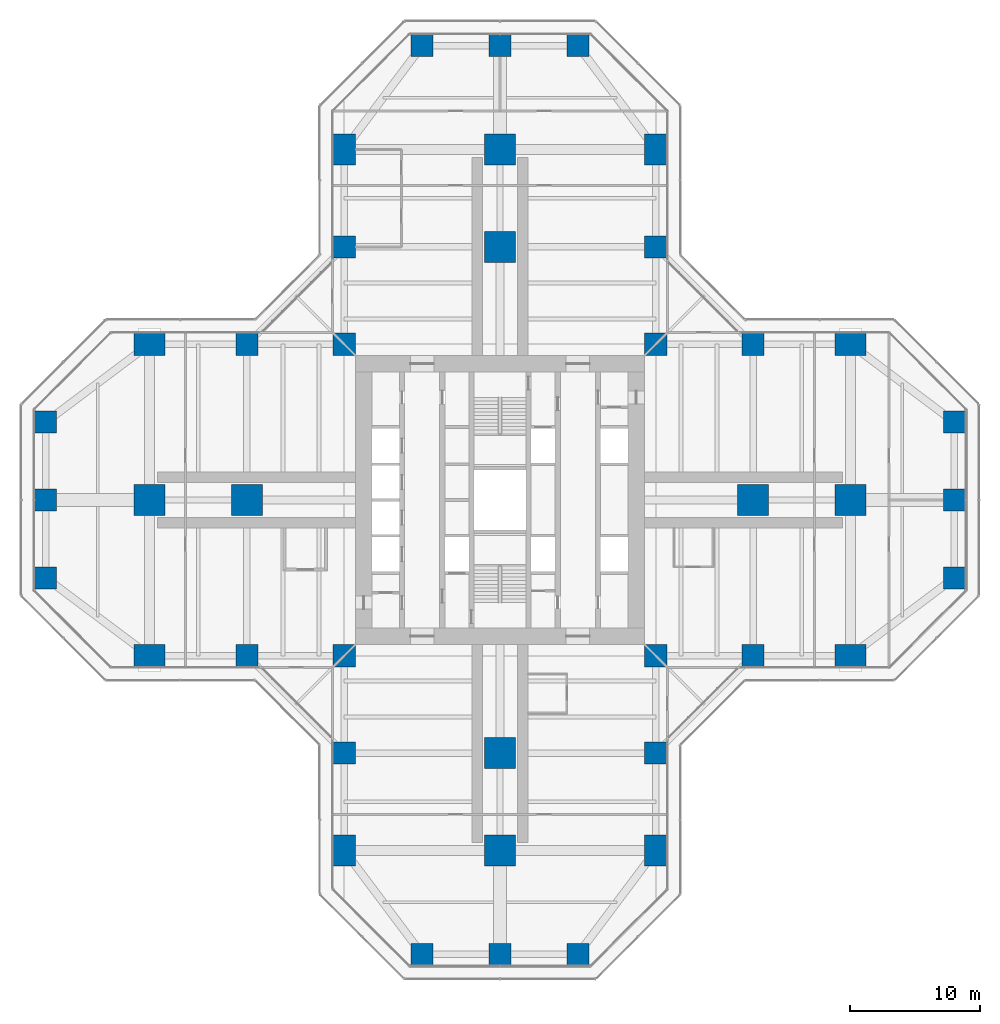
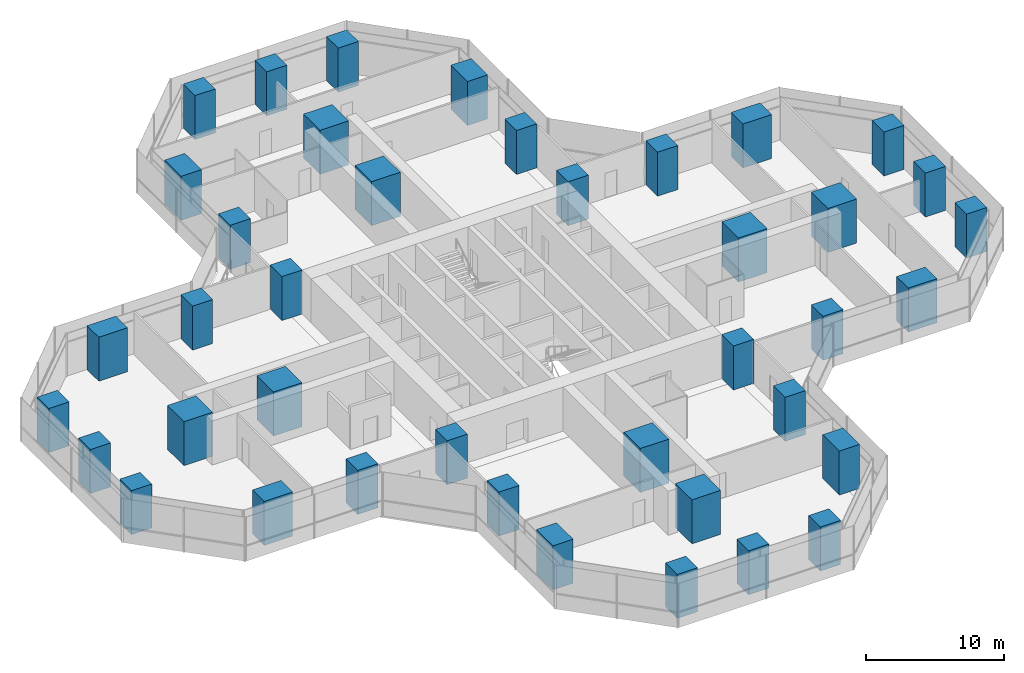
# One storey, part 1 of 22: 40 columns.
"""IFC4 building model written with IfcOpenShell, lengths in metres."""

from ifc_helpers import new_model, si_unit, direction, frame, origin, origin_2d, place, context, subcontext, project, spatial, rectangle, extrude, material, material_profile, profile_set, type_object, element, save


model = new_model("IFC4")

# Units and contexts
model_context = context("Model", 3, precision=1e-05, world=origin(), true_north=direction((0.0, 1.0)))
body_context = subcontext(model_context, "Body", "Model", "MODEL_VIEW")
ifc_project = project(units=[si_unit("LENGTHUNIT", "METRE"), si_unit("AREAUNIT", "SQUARE_METRE"), si_unit("VOLUMEUNIT", "CUBIC_METRE"), si_unit("PLANEANGLEUNIT", "RADIAN"), si_unit("MASSUNIT", "GRAM", prefix="KILO")], contexts=[model_context])

# Site, building, storey
site_placement = place(None, origin())
site = spatial("IfcSite", under=ifc_project, at=site_placement, CompositionType="ELEMENT")
building_placement = place(site_placement, origin())
building = spatial("IfcBuilding", under=site, at=building_placement, Name="Mizan Broadcast Tower", CompositionType="ELEMENT")
storey_placement = place(building_placement, frame((0.0, 0.0, 109.800048828125)))
storey = spatial("IfcBuildingStorey", under=building, at=storey_placement, Name="L24", CompositionType="ELEMENT", Elevation=109.800048828125)

# Columns
ifc_material_1 = material(Name="Concrete C70/85", Category="concrete")
ifc_material_profile_1 = material_profile(ifc_material_1, rectangle(XDim=1.699951171875, YDim=1.699951171875, at=origin_2d()), Name="RC 1700x1700")
ifc_profile_set_1 = profile_set([ifc_material_profile_1], Name="Concrete C70/85")
column_type_1 = type_object("IfcColumnType", Name="RC COLUMN 1700x1700 C70/85", PredefinedType="COLUMN", material=ifc_profile_set_1)
for number, where, z_axis, x_axis, name in (
    (1, (-6.0, -35.0, 0.0), (0.0, 0.0, 1.0), (1.0, 0.0, 0.0), "Column 5/A L24"),
    (2, (0.0, -35.0, 0.0), (0.0, 0.0, 1.0), (1.0, 0.0, 0.0), "Column 6/A L24"),
    (3, (6.0, -35.0, 0.0), (0.0, 0.0, 1.0), (1.0, 0.0, 0.0), "Column 7/A L24"),
    (4, (-12.0, -19.5, 0.0), (0.0, 0.0, 1.0), (1.0, 0.0, 0.0), "Column 4/C L24"),
    (5, (12.0, -19.5, 0.0), (0.0, 0.0, 1.0), (1.0, 0.0, 0.0), "Column 8/C L24"),
    (6, (-19.5, -12.0, 0.0), (0.0, 0.0, 1.0), (1.0, 0.0, 0.0), "Column 3/D L24"),
    (7, (-12.0, -12.0, 0.0), (0.0, 0.0, 1.0), (1.0, 0.0, 0.0), "Column 4/D L24"),
    (8, (12.0, -12.0, 0.0), (0.0, 0.0, 1.0), (1.0, 0.0, 0.0), "Column 8/D L24"),
    (9, (19.5, -12.0, 0.0), (0.0, 0.0, 1.0), (1.0, 0.0, 0.0), "Column 9/D L24"),
    (10, (-35.0, -6.0, 0.0), (0.0, 0.0, 1.0), (1.0, 0.0, 0.0), "Column 1/E L24"),
    (11, (35.0, -6.0, 0.0), (0.0, 0.0, 1.0), (1.0, 0.0, 0.0), "Column 11/E L24"),
    (12, (-35.0, 0.0, 0.0), (0.0, 0.0, 1.0), (1.0, 0.0, 0.0), "Column 1/F L24"),
    (13, (35.0, 0.0, 0.0), (0.0, 0.0, 1.0), (1.0, 0.0, 0.0), "Column 11/F L24"),
    (14, (-35.0, 6.0, 0.0), (0.0, 0.0, 1.0), (1.0, 0.0, 0.0), "Column 1/G L24"),
    (15, (35.0, 6.0, 0.0), (0.0, 0.0, 1.0), (1.0, 0.0, 0.0), "Column 11/G L24"),
    (16, (-19.5, 12.0, 0.0), (0.0, 0.0, 1.0), (1.0, 0.0, 0.0), "Column 3/H L24"),
    (17, (-12.0, 12.0, 0.0), (0.0, 0.0, 1.0), (1.0, 0.0, 0.0), "Column 4/H L24"),
    (18, (12.0, 12.0, 0.0), (0.0, 0.0, 1.0), (1.0, 0.0, 0.0), "Column 8/H L24"),
    (19, (19.5, 12.0, 0.0), (0.0, 0.0, 1.0), (1.0, 0.0, 0.0), "Column 9/H L24"),
    (20, (-12.0, 19.5, 0.0), (0.0, 0.0, 1.0), (1.0, 0.0, 0.0), "Column 4/J L24"),
    (21, (12.0, 19.5, 0.0), (0.0, 0.0, 1.0), (1.0, 0.0, 0.0), "Column 8/J L24"),
    (22, (-6.0, 35.0, 0.0), (0.0, 0.0, 1.0), (1.0, 0.0, 0.0), "Column 5/L L24"),
    (23, (0.0, 35.0, 0.0), (0.0, 0.0, 1.0), (1.0, 0.0, 0.0), "Column 6/L L24"),
    (24, (6.0, 35.0, 0.0), (0.0, 0.0, 1.0), (1.0, 0.0, 0.0), "Column 7/L L24"),
):
    element("IfcColumn", number, at=place(storey_placement, frame(where, z_axis=z_axis, x_axis=x_axis)), inside=storey, type_object=column_type_1, Name=name, PredefinedType="COLUMN", context=body_context, shape_type="SweptSolid", body=[
        extrude(rectangle(XDim=1.699951171875, YDim=1.699951171875, at=origin_2d()), origin(), (0.0, 0.0, 1.0), 3.89990234375),
    ])
ifc_material_2 = material(Name="Concrete C70/85", Category="concrete")
ifc_material_profile_2 = material_profile(ifc_material_2, rectangle(XDim=1.699951171875, YDim=2.39990234375, at=origin_2d()), Name="RC 1700x2400")
ifc_profile_set_2 = profile_set([ifc_material_profile_2], Name="Concrete C70/85")
column_type_2 = type_object("IfcColumnType", Name="RC COLUMN 1700x2400 C70/85", PredefinedType="COLUMN", material=ifc_profile_set_2)
for number, where, z_axis, x_axis, name in (
    (25, (-12.0, -27.0, 0.0), (0.0, 0.0, 1.0), (1.0, 0.0, 0.0), "Column 4/B L24"),
    (26, (12.0, -27.0, 0.0), (0.0, 0.0, 1.0), (1.0, 0.0, 0.0), "Column 8/B L24"),
    (27, (-27.0, -12.0, 0.0), (0.0, 0.0, 1.0), (0.0, 1.0, 0.0), "Column 2/D L24"),
    (28, (27.0, -12.0, 0.0), (0.0, 0.0, 1.0), (0.0, 1.0, 0.0), "Column 10/D L24"),
    (29, (-27.0, 12.0, 0.0), (0.0, 0.0, 1.0), (0.0, 1.0, 0.0), "Column 2/H L24"),
    (30, (27.0, 12.0, 0.0), (0.0, 0.0, 1.0), (0.0, 1.0, 0.0), "Column 10/H L24"),
    (31, (-12.0, 27.0, 0.0), (0.0, 0.0, 1.0), (1.0, 0.0, 0.0), "Column 4/K L24"),
    (32, (12.0, 27.0, 0.0), (0.0, 0.0, 1.0), (1.0, 0.0, 0.0), "Column 8/K L24"),
):
    element("IfcColumn", number, at=place(storey_placement, frame(where, z_axis=z_axis, x_axis=x_axis)), inside=storey, type_object=column_type_2, Name=name, PredefinedType="COLUMN", context=body_context, shape_type="SweptSolid", body=[
        extrude(rectangle(XDim=1.699951171875, YDim=2.39990234375, at=origin_2d()), origin(), (0.0, 0.0, 1.0), 3.89990234375),
    ])
ifc_material_3 = material(Name="Concrete C70/85", Category="concrete")
ifc_material_profile_3 = material_profile(ifc_material_3, rectangle(XDim=2.39990234375, YDim=2.39990234375, at=origin_2d()), Name="RC 2400x2400")
ifc_profile_set_3 = profile_set([ifc_material_profile_3], Name="Concrete C70/85")
column_type_3 = type_object("IfcColumnType", Name="RC COLUMN 2400x2400 C70/85", PredefinedType="COLUMN", material=ifc_profile_set_3)
for number, where, z_axis, x_axis, name in (
    (33, (0.0, -27.0, 0.0), (0.0, 0.0, 1.0), (1.0, 0.0, 0.0), "Column 6/B L24"),
    (34, (0.0, -19.5, 0.0), (0.0, 0.0, 1.0), (1.0, 0.0, 0.0), "Column 6/C L24"),
    (35, (-27.0, 0.0, 0.0), (0.0, 0.0, 1.0), (1.0, 0.0, 0.0), "Column 2/F L24"),
    (36, (-19.5, 0.0, 0.0), (0.0, 0.0, 1.0), (1.0, 0.0, 0.0), "Column 3/F L24"),
    (37, (19.5, 0.0, 0.0), (0.0, 0.0, 1.0), (1.0, 0.0, 0.0), "Column 9/F L24"),
    (38, (27.0, 0.0, 0.0), (0.0, 0.0, 1.0), (1.0, 0.0, 0.0), "Column 10/F L24"),
    (39, (0.0, 19.5, 0.0), (0.0, 0.0, 1.0), (1.0, 0.0, 0.0), "Column 6/J L24"),
    (40, (0.0, 27.0, 0.0), (0.0, 0.0, 1.0), (1.0, 0.0, 0.0), "Column 6/K L24"),
):
    element("IfcColumn", number, at=place(storey_placement, frame(where, z_axis=z_axis, x_axis=x_axis)), inside=storey, type_object=column_type_3, Name=name, PredefinedType="COLUMN", context=body_context, shape_type="SweptSolid", body=[
        extrude(rectangle(XDim=2.39990234375, YDim=2.39990234375, at=origin_2d()), origin(), (0.0, 0.0, 1.0), 3.89990234375),
    ])

save(model, "model.ifc")
